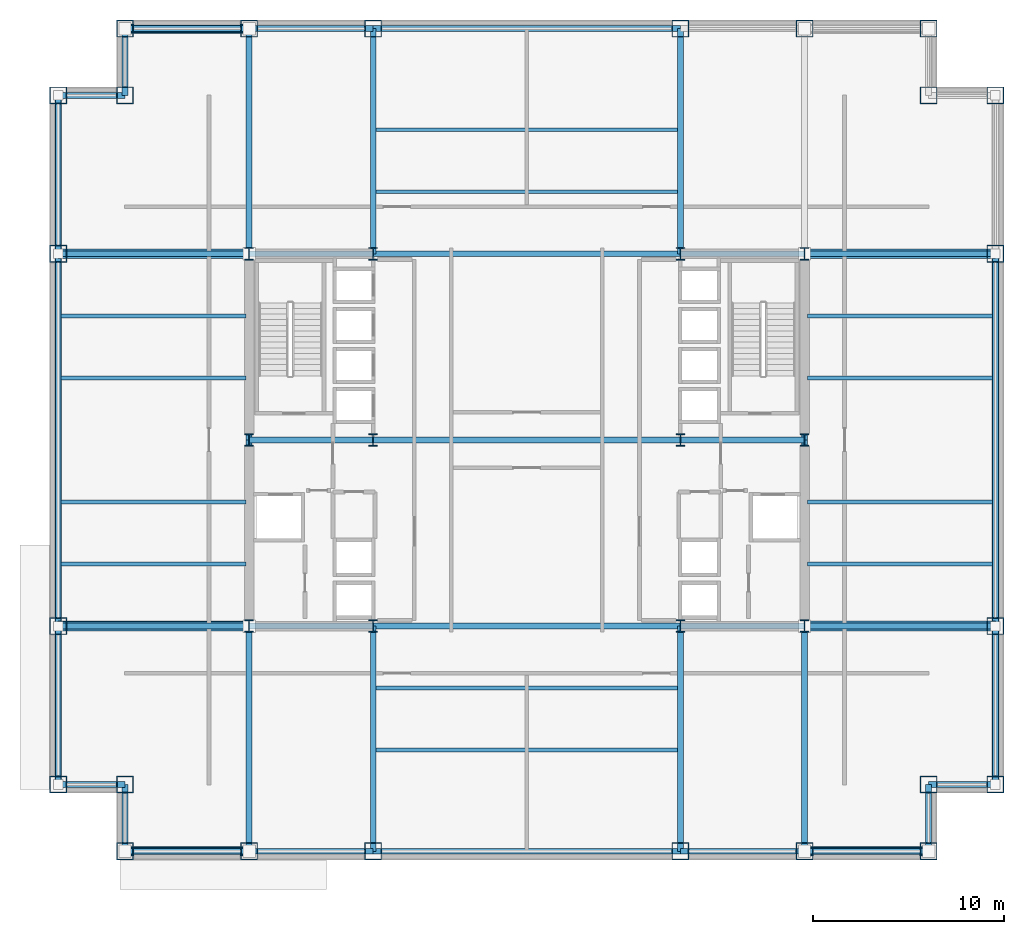
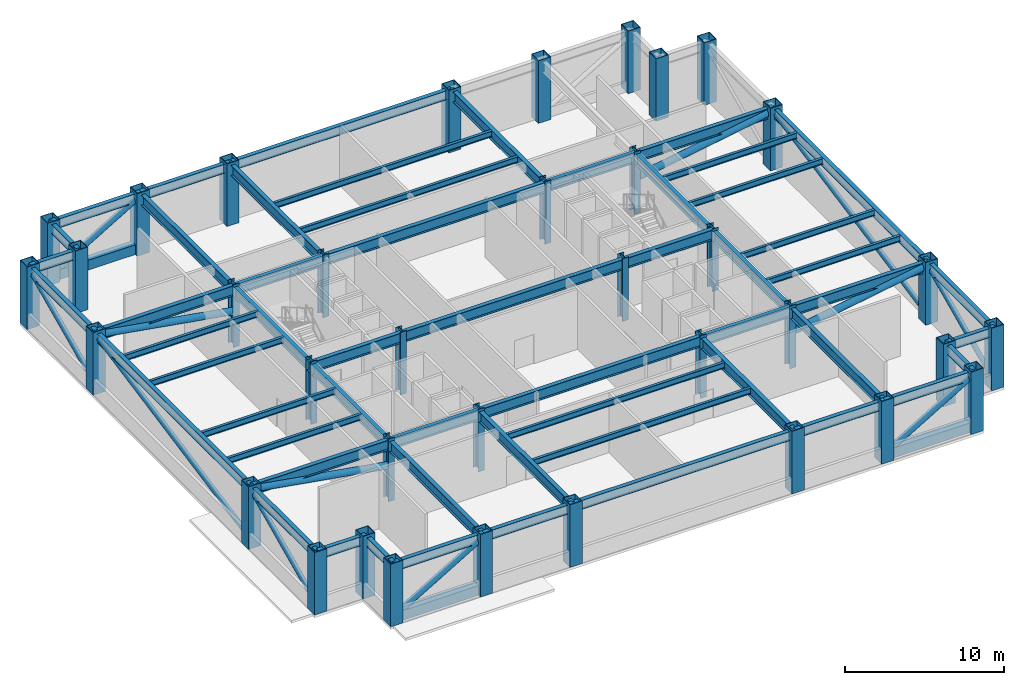
# One storey, part 1 of 8: 55 beams, 36 columns, 15 members.
"""IFC4 building model written with IfcOpenShell, lengths in metres."""

import ifcopenshell
import ifcopenshell.guid

model = None  # the IFC model being written
_history = None  # IfcOwnerHistory: only IFC2X3 demands one
_inside = {}  # id of a spatial element -> (the spatial element, [elements in it])
_under = {}  # id of a project, library or spatial element -> (it, [spatial elements below it])
_declared = {}  # id of a project -> (the project, [libraries it declares])
_typed = {}  # id of a type object -> (the type object, [elements of that type])
_made_of = {}  # id of a material, layer set ... -> (it, [elements and type objects made of it])


def new_model(schema):
    """Start an empty IFC model of exactly this schema.

    Asked for "IFC4X3", IfcOpenShell would pick the latest addendum, in which some entities
    have other attributes; the version numbers below select the first issue.
    IFC2X3 requires an IfcOwnerHistory on every rooted entity: one is made here for all.
    """
    global model, _history
    if schema == "IFC4X3":
        model = ifcopenshell.file(schema_version=(4, 3, 0, 0))
    else:
        model = ifcopenshell.file(schema=schema)
    _inside.clear()
    _under.clear()
    _declared.clear()
    _typed.clear()
    _made_of.clear()
    _history = None
    if model.schema == "IFC2X3":
        org = make("IfcOrganization", Name="unknown")
        user = make(
            "IfcPersonAndOrganization",
            ThePerson=make("IfcPerson", FamilyName="unknown"),
            TheOrganization=org,
        )
        app = make(
            "IfcApplication",
            ApplicationDeveloper=org,
            Version="unknown",
            ApplicationFullName="unknown",
            ApplicationIdentifier="unknown",
        )
        _history = make(
            "IfcOwnerHistory",
            OwningUser=user,
            OwningApplication=app,
            ChangeAction="ADDED",
            CreationDate=0,
        )
    return model


def make(cls, **values):
    """One entity of the class cls with the attributes given. An attribute that is None is left unset."""
    return model.create_entity(
        cls, **{name: value for name, value in values.items() if value is not None}
    )


def rooted(cls, **values):
    """An entity with a GlobalId (a new one), such as an element, a storey or a relation."""
    return make(cls, GlobalId=ifcopenshell.guid.new(), OwnerHistory=_history, **values)


def si_unit(unit_type, name, prefix=None):
    """IfcSIUnit, for example si_unit("LENGTHUNIT", "METRE", prefix="MILLI")."""
    return make("IfcSIUnit", UnitType=unit_type, Prefix=prefix, Name=name)


def assignment(units):
    """IfcUnitAssignment: the units of a project."""
    return None if units is None else make("IfcUnitAssignment", Units=units)


def point(xyz):
    """IfcCartesianPoint."""
    return None if xyz is None else make("IfcCartesianPoint", Coordinates=xyz)


def direction(xyz):
    """IfcDirection."""
    return None if xyz is None else make("IfcDirection", DirectionRatios=xyz)


def frame(location, z_axis=None, x_axis=None):
    """IfcAxis2Placement3D, a coordinate frame: its origin and axes. An axis left out is left unset."""
    return make(
        "IfcAxis2Placement3D",
        Location=point(location),
        Axis=direction(z_axis),
        RefDirection=direction(x_axis),
    )


def frame_2d(location, x_axis=None):
    """IfcAxis2Placement2D, a coordinate frame in the plane: its origin and x axis."""
    return make(
        "IfcAxis2Placement2D", Location=point(location), RefDirection=direction(x_axis)
    )


def origin():
    """The frame at (0, 0, 0) with its axes left unset."""
    return frame((0.0, 0.0, 0.0))


def origin_2d():
    """The frame at (0, 0) in the plane with its x axis left unset."""
    return frame_2d((0.0, 0.0))


def place(relative_to, where):
    """IfcLocalPlacement: puts the frame where relative to a parent placement (None: the world)."""
    return make(
        "IfcLocalPlacement", PlacementRelTo=relative_to, RelativePlacement=where
    )


def context(
    kind, dimensions, precision=None, world=None, true_north=None, identifier=None
):
    """IfcGeometricRepresentationContext, for example the 3D "Model" context."""
    return make(
        "IfcGeometricRepresentationContext",
        ContextIdentifier=identifier,
        ContextType=kind,
        CoordinateSpaceDimension=dimensions,
        Precision=precision,
        WorldCoordinateSystem=world,
        TrueNorth=true_north,
    )


def subcontext(parent, identifier, kind, view, scale=None):
    """IfcGeometricRepresentationSubContext, for example "Body" below "Model"."""
    return make(
        "IfcGeometricRepresentationSubContext",
        ContextIdentifier=identifier,
        ContextType=kind,
        ParentContext=parent,
        TargetScale=scale,
        TargetView=view,
    )


def project(units=None, contexts=None):
    """IfcProject with its units and contexts."""
    return rooted(
        "IfcProject",
        Name="project",
        RepresentationContexts=contexts,
        UnitsInContext=assignment(units),
    )


def spatial(cls, under=None, at=None, **own):
    """A site, building, storey or space (cls), placed at a placement, below another one or the project."""
    s = rooted(cls, ObjectPlacement=at, **own)
    if under is not None:
        _under.setdefault(under.id(), (under, []))[1].append(s)
    return s


def profile(cls, at=None, kind="AREA", **sizes):
    """A parametric profile (cls). Its sizes go by their IFC names, for example OverallWidth=200.0."""
    return make(cls, ProfileType=kind, Position=at, **sizes)


def hollow_rectangle(**sizes):
    """IfcRectangleHollowProfileDef."""
    return profile("IfcRectangleHollowProfileDef", **sizes)


def hollow_circle(**sizes):
    """IfcCircleHollowProfileDef."""
    return profile("IfcCircleHollowProfileDef", **sizes)


def i_section(**sizes):
    """IfcIShapeProfileDef."""
    return profile("IfcIShapeProfileDef", **sizes)


def extrude(swept, where, along, depth):
    """IfcExtrudedAreaSolid: the profile swept, set in the frame where, extruded along a direction by depth."""
    return make(
        "IfcExtrudedAreaSolid",
        SweptArea=swept,
        Position=where,
        ExtrudedDirection=direction(along),
        Depth=depth,
    )


def shape(context_of_items, identifier, shape_type, items):
    """IfcShapeRepresentation: the items that make up one representation, for example the "Body"."""
    return make(
        "IfcShapeRepresentation",
        ContextOfItems=context_of_items,
        RepresentationIdentifier=identifier,
        RepresentationType=shape_type,
        Items=items,
    )


def material(Name=None, Category=None):
    """IfcMaterial."""
    return make("IfcMaterial", Name=Name, Category=Category)


def material_profile(
    of_material, cross_section, Name=None, Category=None, Priority=None
):
    """IfcMaterialProfile: a cross section and its material."""
    return make(
        "IfcMaterialProfile",
        Name=Name,
        Material=of_material,
        Profile=cross_section,
        Priority=Priority,
        Category=Category,
    )


def profile_set(profiles, Name=None, composite=None):
    """IfcMaterialProfileSet."""
    return make(
        "IfcMaterialProfileSet",
        Name=Name,
        MaterialProfiles=profiles,
        CompositeProfile=composite,
    )


def made_of(thing, what):
    """Note that an element or type object is made of a material, layer set ...; save() writes the relation."""
    if what is not None:
        _made_of.setdefault(what.id(), (what, []))[1].append(thing)
    return thing


def type_object(cls, material=None, **own):
    """A type object (cls), such as IfcWallType, which elements share."""
    return made_of(rooted(cls, **own), material)


def element(
    cls,
    number,
    at=None,
    inside=None,
    cuts=None,
    type_object=None,
    material=None,
    context=None,
    identifier="Body",
    shape_type=None,
    held_by="IfcProductDefinitionShape",
    body=None,
    shapes=None,
    **own,
):
    """One element of the class cls, such as IfcWall. Its Tag is "e" and its number.

    at: its placement. inside: the storey or other place that contains it. cuts: it is an
    opening in that element (IfcRelVoidsElement). A single representation is given by context,
    identifier, shape_type and body (its items); several are given by shapes. held_by: the class
    of the entity that holds the representations. save() writes the other relations.
    """
    e = rooted(cls, Tag="e%d" % number, ObjectPlacement=at, **own)
    if body is not None:
        shapes = [shape(context, identifier, shape_type, body)]
    if shapes is not None:
        e.Representation = make(held_by, Representations=shapes)
    if inside is not None:
        _inside.setdefault(inside.id(), (inside, []))[1].append(e)
    if cuts is not None:
        rooted(
            "IfcRelVoidsElement", RelatingBuildingElement=cuts, RelatedOpeningElement=e
        )
    if type_object is not None:
        _typed.setdefault(type_object.id(), (type_object, []))[1].append(e)
    return made_of(e, material)


def aggregate(whole, parts):
    """IfcRelAggregates: a whole, such as a stair, and the parts it consists of."""
    return rooted("IfcRelAggregates", RelatingObject=whole, RelatedObjects=parts)


def save(model, path):
    """Write the relations noted so far, then the file.

    IfcRelAggregates (storeys below a building ...), IfcRelContainedInSpatialStructure (elements
    in a storey), IfcRelDefinesByType, IfcRelAssociatesMaterial and IfcRelDeclares: one each for
    every whole, place, type object, material and project.
    """
    for whole, parts in _under.values():
        aggregate(whole, parts)
    for where, things in _inside.values():
        rooted(
            "IfcRelContainedInSpatialStructure",
            RelatedElements=things,
            RelatingStructure=where,
        )
    for kind, things in _typed.values():
        rooted("IfcRelDefinesByType", RelatedObjects=things, RelatingType=kind)
    for what, things in _made_of.values():
        rooted("IfcRelAssociatesMaterial", RelatedObjects=things, RelatingMaterial=what)
    for by, libraries in _declared.values():
        rooted("IfcRelDeclares", RelatingContext=by, RelatedDefinitions=libraries)
    model.write(path)


model = new_model("IFC4")

# Units and contexts
model_context = context("Model", 3, precision=1e-05, world=origin(), true_north=direction((0.0, 1.0)))
body_context = subcontext(model_context, "Body", "Model", "MODEL_VIEW")
ifc_project = project(units=[si_unit("LENGTHUNIT", "METRE"), si_unit("AREAUNIT", "SQUARE_METRE"), si_unit("VOLUMEUNIT", "CUBIC_METRE"), si_unit("PLANEANGLEUNIT", "RADIAN"), si_unit("MASSUNIT", "GRAM", prefix="KILO")], contexts=[model_context])

# Site, building, storey
site_placement = place(None, origin())
site = spatial("IfcSite", under=ifc_project, at=site_placement, CompositionType="ELEMENT")
building_placement = place(site_placement, origin())
building = spatial("IfcBuilding", under=site, at=building_placement, Name="Brelmoor Portico Tower", CompositionType="ELEMENT")
storey_placement = place(building_placement, frame((0.0, 0.0, 78.0)))
storey = spatial("IfcBuildingStorey", under=building, at=storey_placement, Name="L20", CompositionType="ELEMENT", Elevation=78.0)

# Columns
ifc_material = material(Name="Steel Q355B", Category="steel")
ifc_material_profile_1 = material_profile(ifc_material, hollow_rectangle(XDim=0.89990234375, YDim=0.89990234375, WallThickness=0.044921875, at=origin_2d()), Name="BOX 900x900x45")
ifc_profile_set_1 = profile_set([ifc_material_profile_1], Name="Steel Q355B")
column_type_1 = type_object("IfcColumnType", Name="COL-MEGA-900", PredefinedType="COLUMN", material=ifc_profile_set_1)
for number, where, z_axis, x_axis, name in (
    (1, (-21.050048828125, -21.550048828125, 0.0), (0.0, 0.0, 1.0), (1.0, 0.0, 0.0), "L20 Perimeter Mega-Column PS01"),
    (2, (-14.550048828125, -21.550048828125, 0.0), (0.0, 0.0, 1.0), (1.0, 0.0, 0.0), "L20 Perimeter Mega-Column PS02"),
    (3, (-8.050048828125, -21.550048828125, 0.0), (0.0, 0.0, 1.0), (1.0, 0.0, 0.0), "L20 Perimeter Mega-Column PS03"),
    (4, (8.050048828125, -21.550048828125, 0.0), (0.0, 0.0, 1.0), (1.0, 0.0, 0.0), "L20 Perimeter Mega-Column PS04"),
    (5, (14.550048828125, -21.550048828125, 0.0), (0.0, 0.0, 1.0), (1.0, 0.0, 0.0), "L20 Perimeter Mega-Column PS05"),
    (6, (21.050048828125, -21.550048828125, 0.0), (0.0, 0.0, 1.0), (1.0, 0.0, 0.0), "L20 Perimeter Mega-Column PS06"),
    (7, (-21.050048828125, 21.550048828125, 0.0), (0.0, 0.0, 1.0), (1.0, 0.0, 0.0), "L20 Perimeter Mega-Column PN01"),
    (8, (-14.550048828125, 21.550048828125, 0.0), (0.0, 0.0, 1.0), (1.0, 0.0, 0.0), "L20 Perimeter Mega-Column PN02"),
    (9, (-8.050048828125, 21.550048828125, 0.0), (0.0, 0.0, 1.0), (1.0, 0.0, 0.0), "L20 Perimeter Mega-Column PN03"),
    (10, (8.050048828125, 21.550048828125, 0.0), (0.0, 0.0, 1.0), (1.0, 0.0, 0.0), "L20 Perimeter Mega-Column PN04"),
    (11, (14.550048828125, 21.550048828125, 0.0), (0.0, 0.0, 1.0), (1.0, 0.0, 0.0), "L20 Perimeter Mega-Column PN05"),
    (12, (21.050048828125, 21.550048828125, 0.0), (0.0, 0.0, 1.0), (1.0, 0.0, 0.0), "L20 Perimeter Mega-Column PN06"),
    (13, (-24.550048828125, -18.050048828125, 0.0), (0.0, 0.0, 1.0), (0.0, 1.0, 0.0), "L20 Perimeter Mega-Column PW01"),
    (14, (-24.550048828125, -9.75, 0.0), (0.0, 0.0, 1.0), (0.0, 1.0, 0.0), "L20 Perimeter Mega-Column PW02"),
    (15, (-24.550048828125, 9.75, 0.0), (0.0, 0.0, 1.0), (0.0, 1.0, 0.0), "L20 Perimeter Mega-Column PW03"),
    (16, (-24.550048828125, 18.050048828125, 0.0), (0.0, 0.0, 1.0), (0.0, 1.0, 0.0), "L20 Perimeter Mega-Column PW04"),
    (17, (24.550048828125, -18.050048828125, 0.0), (0.0, 0.0, 1.0), (0.0, 1.0, 0.0), "L20 Perimeter Mega-Column PE01"),
    (18, (24.550048828125, -9.75, 0.0), (0.0, 0.0, 1.0), (0.0, 1.0, 0.0), "L20 Perimeter Mega-Column PE02"),
    (19, (24.550048828125, 9.75, 0.0), (0.0, 0.0, 1.0), (0.0, 1.0, 0.0), "L20 Perimeter Mega-Column PE03"),
    (20, (24.550048828125, 18.050048828125, 0.0), (0.0, 0.0, 1.0), (0.0, 1.0, 0.0), "L20 Perimeter Mega-Column PE04"),
    (21, (-21.050048828125, 18.050048828125, 0.0), (0.0, 0.0, 1.0), (1.0, 0.0, 0.0), "L20 Perimeter Mega-Column PC-NW"),
    (22, (21.050048828125, 18.050048828125, 0.0), (0.0, 0.0, 1.0), (1.0, 0.0, 0.0), "L20 Perimeter Mega-Column PC-NE"),
    (23, (21.050048828125, -18.050048828125, 0.0), (0.0, 0.0, 1.0), (1.0, 0.0, 0.0), "L20 Perimeter Mega-Column PC-SE"),
    (24, (-21.050048828125, -18.050048828125, 0.0), (0.0, 0.0, 1.0), (1.0, 0.0, 0.0), "L20 Perimeter Mega-Column PC-SW"),
):
    element("IfcColumn", number, at=place(storey_placement, frame(where, z_axis=z_axis, x_axis=x_axis)), inside=storey, type_object=column_type_1, Name=name, PredefinedType="COLUMN", context=body_context, shape_type="SweptSolid", body=[
        extrude(hollow_rectangle(XDim=0.89990234375, YDim=0.89990234375, WallThickness=0.044921875, at=origin_2d()), origin(), (0.0, 0.0, 1.0), 4.800048828125),
    ])
ifc_material_profile_2 = material_profile(ifc_material, i_section(OverallWidth=0.449951171875, OverallDepth=0.64990234375, WebThickness=0.02490234375, FlangeThickness=0.0400390625, at=origin_2d()), Name="HW 650x450x25x40")
ifc_profile_set_2 = profile_set([ifc_material_profile_2], Name="Steel Q355B")
column_type_2 = type_object("IfcColumnType", Name="COL-SPINE-650", PredefinedType="COLUMN", material=ifc_profile_set_2)
for number, where, z_axis, x_axis, name in (
    (25, (-14.550048828125, -9.75, 0.0), (0.0, 0.0, 1.0), (1.0, 0.0, 0.0), "L20 Core Spine Column CW-SW"),
    (26, (-14.550048828125, 0.0, 0.0), (0.0, 0.0, 1.0), (1.0, 0.0, 0.0), "L20 Core Spine Column CW-MW"),
    (27, (-14.550048828125, 9.75, 0.0), (0.0, 0.0, 1.0), (1.0, 0.0, 0.0), "L20 Core Spine Column CW-NW"),
    (28, (-8.050048828125, -9.75, 0.0), (0.0, 0.0, 1.0), (1.0, 0.0, 0.0), "L20 Core Spine Column CW-SE"),
    (29, (-8.050048828125, 0.0, 0.0), (0.0, 0.0, 1.0), (1.0, 0.0, 0.0), "L20 Core Spine Column CW-ME"),
    (30, (-8.050048828125, 9.75, 0.0), (0.0, 0.0, 1.0), (1.0, 0.0, 0.0), "L20 Core Spine Column CW-NE"),
    (31, (8.050048828125, -9.75, 0.0), (0.0, 0.0, 1.0), (1.0, 0.0, 0.0), "L20 Core Spine Column CE-SW"),
    (32, (8.050048828125, 0.0, 0.0), (0.0, 0.0, 1.0), (1.0, 0.0, 0.0), "L20 Core Spine Column CE-MW"),
    (33, (8.050048828125, 9.75, 0.0), (0.0, 0.0, 1.0), (1.0, 0.0, 0.0), "L20 Core Spine Column CE-NW"),
    (34, (14.550048828125, -9.75, 0.0), (0.0, 0.0, 1.0), (1.0, 0.0, 0.0), "L20 Core Spine Column CE-SE"),
    (35, (14.550048828125, 0.0, 0.0), (0.0, 0.0, 1.0), (1.0, 0.0, 0.0), "L20 Core Spine Column CE-ME"),
    (36, (14.550048828125, 9.75, 0.0), (0.0, 0.0, 1.0), (1.0, 0.0, 0.0), "L20 Core Spine Column CE-NE"),
):
    element("IfcColumn", number, at=place(storey_placement, frame(where, z_axis=z_axis, x_axis=x_axis)), inside=storey, type_object=column_type_2, Name=name, PredefinedType="COLUMN", context=body_context, shape_type="SweptSolid", body=[
        extrude(i_section(OverallWidth=0.449951171875, OverallDepth=0.64990234375, WebThickness=0.02490234375, FlangeThickness=0.0400390625, at=origin_2d()), origin(), (0.0, 0.0, 1.0), 4.800048828125),
    ])

# Beams
ifc_material_profile_3 = material_profile(ifc_material, i_section(OverallWidth=0.199951171875, OverallDepth=0.449951171875, WebThickness=0.009033203125, FlangeThickness=0.013916015625, at=origin_2d()), Name="HN 450x200x9x14")
ifc_profile_set_3 = profile_set([ifc_material_profile_3], Name="Steel Q355B")
beam_type_1 = type_object("IfcBeamType", Name="BM-JS-450", PredefinedType="JOIST", material=ifc_profile_set_3)
for number, where, z_axis, x_axis, name in (
    (37, (-7.89990234375, -16.25, 4.375), (1.0, 0.0, 0.0), (0.0, 1.0, 0.0), "L20 Secondary Composite Joist JS-C01"),
    (38, (-7.89990234375, -13.0, 4.375), (1.0, 0.0, 0.0), (0.0, 1.0, 0.0), "L20 Secondary Composite Joist JS-C02"),
    (39, (-7.89990234375, 13.0, 4.375), (1.0, 0.0, 0.0), (0.0, 1.0, 0.0), "L20 Secondary Composite Joist JS-C03"),
    (40, (-7.89990234375, 16.25, 4.375), (1.0, 0.0, 0.0), (0.0, 1.0, 0.0), "L20 Secondary Composite Joist JS-C04"),
):
    element("IfcBeam", number, at=place(storey_placement, frame(where, z_axis=z_axis, x_axis=x_axis)), inside=storey, type_object=beam_type_1, Name=name, PredefinedType="JOIST", context=body_context, shape_type="SweptSolid", body=[
        extrude(i_section(OverallWidth=0.199951171875, OverallDepth=0.449951171875, WebThickness=0.009033203125, FlangeThickness=0.013916015625, at=origin_2d()), origin(), (0.0, 0.0, 1.0), 15.7998046875),
    ])
for number, where, z_axis, x_axis, name in (
    (41, (-24.39990234375, -6.5, 4.375), (1.0, 0.0, 0.0), (0.0, 1.0, 0.0), "L20 Secondary Wing Joist JS-W05"),
    (42, (-24.39990234375, -3.25, 4.375), (1.0, 0.0, 0.0), (0.0, 1.0, 0.0), "L20 Secondary Wing Joist JS-W06"),
    (43, (-24.39990234375, 3.25, 4.375), (1.0, 0.0, 0.0), (0.0, 1.0, 0.0), "L20 Secondary Wing Joist JS-W07"),
    (44, (-24.39990234375, 6.5, 4.375), (1.0, 0.0, 0.0), (0.0, 1.0, 0.0), "L20 Secondary Wing Joist JS-W08"),
    (45, (14.699951171875, -6.5, 4.375), (1.0, 0.0, 0.0), (0.0, 1.0, 0.0), "L20 Secondary Wing Joist JS-E09"),
    (46, (14.699951171875, -3.25, 4.375), (1.0, 0.0, 0.0), (0.0, 1.0, 0.0), "L20 Secondary Wing Joist JS-E10"),
    (47, (14.699951171875, 3.25, 4.375), (1.0, 0.0, 0.0), (0.0, 1.0, 0.0), "L20 Secondary Wing Joist JS-E11"),
    (48, (14.699951171875, 6.5, 4.375), (1.0, 0.0, 0.0), (0.0, 1.0, 0.0), "L20 Secondary Wing Joist JS-E12"),
):
    element("IfcBeam", number, at=place(storey_placement, frame(where, z_axis=z_axis, x_axis=x_axis)), inside=storey, type_object=beam_type_1, Name=name, PredefinedType="JOIST", context=body_context, shape_type="SweptSolid", body=[
        extrude(i_section(OverallWidth=0.199951171875, OverallDepth=0.449951171875, WebThickness=0.009033203125, FlangeThickness=0.013916015625, at=origin_2d()), origin(), (0.0, 0.0, 1.0), 9.699951171875),
    ])
ifc_material_profile_4 = material_profile(ifc_material, i_section(OverallWidth=0.300048828125, OverallDepth=0.800048828125, WebThickness=0.013916015625, FlangeThickness=0.02587890625, at=origin_2d()), Name="HN 800x300x14x26")
ifc_profile_set_4 = profile_set([ifc_material_profile_4], Name="Steel Q355B")
beam_type_2 = type_object("IfcBeamType", Name="BM-PG-800", PredefinedType="BEAM", material=ifc_profile_set_4)
beam_1_placement = place(storey_placement, frame((-14.550048828125, -21.550048828125, 4.199951171875), z_axis=(0.0, 1.0, 0.0), x_axis=(-1.0, 0.0, 0.0)))
element("IfcBeam", 49, at=beam_1_placement, inside=storey, type_object=beam_type_2, Name="L20 Primary Floor Girder PG-03", PredefinedType="BEAM", context=body_context, shape_type="SweptSolid", body=[
    extrude(i_section(OverallWidth=0.300048828125, OverallDepth=0.800048828125, WebThickness=0.013916015625, FlangeThickness=0.02587890625, at=origin_2d()), origin(), (0.0, 0.0, 1.0), 11.800048828125),
])
for number, where, z_axis, x_axis, name in (
    (50, (-14.550048828125, -9.75, 4.199951171875), (0.0, 1.0, 0.0), (-1.0, 0.0, 0.0), "L20 Primary Floor Girder PG-04"),
    (51, (-14.550048828125, 0.0, 4.199951171875), (0.0, 1.0, 0.0), (-1.0, 0.0, 0.0), "L20 Primary Floor Girder PG-05"),
):
    element("IfcBeam", number, at=place(storey_placement, frame(where, z_axis=z_axis, x_axis=x_axis)), inside=storey, type_object=beam_type_2, Name=name, PredefinedType="BEAM", context=body_context, shape_type="SweptSolid", body=[
        extrude(i_section(OverallWidth=0.300048828125, OverallDepth=0.800048828125, WebThickness=0.013916015625, FlangeThickness=0.02587890625, at=origin_2d()), origin(), (0.0, 0.0, 1.0), 9.75),
    ])
for number, where, z_axis, x_axis, name in (
    (52, (-14.550048828125, 9.75, 4.199951171875), (0.0, 1.0, 0.0), (-1.0, 0.0, 0.0), "L20 Primary Floor Girder PG-06"),
    (53, (-8.050048828125, -21.550048828125, 4.199951171875), (0.0, 1.0, 0.0), (-1.0, 0.0, 0.0), "L20 Primary Floor Girder PG-07"),
    (54, (-8.050048828125, 9.75, 4.199951171875), (0.0, 1.0, 0.0), (-1.0, 0.0, 0.0), "L20 Primary Floor Girder PG-08"),
    (55, (8.050048828125, -21.550048828125, 4.199951171875), (0.0, 1.0, 0.0), (-1.0, 0.0, 0.0), "L20 Primary Floor Girder PG-09"),
    (56, (8.050048828125, 9.75, 4.199951171875), (0.0, 1.0, 0.0), (-1.0, 0.0, 0.0), "L20 Primary Floor Girder PG-10"),
    (57, (14.550048828125, -21.550048828125, 4.199951171875), (0.0, 1.0, 0.0), (-1.0, 0.0, 0.0), "L20 Primary Floor Girder PG-11"),
):
    element("IfcBeam", number, at=place(storey_placement, frame(where, z_axis=z_axis, x_axis=x_axis)), inside=storey, type_object=beam_type_2, Name=name, PredefinedType="BEAM", context=body_context, shape_type="SweptSolid", body=[
        extrude(i_section(OverallWidth=0.300048828125, OverallDepth=0.800048828125, WebThickness=0.013916015625, FlangeThickness=0.02587890625, at=origin_2d()), origin(), (0.0, 0.0, 1.0), 11.800048828125),
    ])
for number, where, z_axis, x_axis, name in (
    (58, (14.550048828125, -9.75, 4.199951171875), (0.0, 1.0, 0.0), (-1.0, 0.0, 0.0), "L20 Primary Floor Girder PG-12"),
    (59, (14.550048828125, 0.0, 4.199951171875), (0.0, 1.0, 0.0), (-1.0, 0.0, 0.0), "L20 Primary Floor Girder PG-13"),
):
    element("IfcBeam", number, at=place(storey_placement, frame(where, z_axis=z_axis, x_axis=x_axis)), inside=storey, type_object=beam_type_2, Name=name, PredefinedType="BEAM", context=body_context, shape_type="SweptSolid", body=[
        extrude(i_section(OverallWidth=0.300048828125, OverallDepth=0.800048828125, WebThickness=0.013916015625, FlangeThickness=0.02587890625, at=origin_2d()), origin(), (0.0, 0.0, 1.0), 9.75),
    ])
beam_2_placement = place(storey_placement, frame((-24.550048828125, -9.75, 4.199951171875), z_axis=(1.0, 0.0, 0.0), x_axis=(0.0, 1.0, 0.0)))
element("IfcBeam", 60, at=beam_2_placement, inside=storey, type_object=beam_type_2, Name="L20 Primary Floor Girder PG-19", PredefinedType="BEAM", context=body_context, shape_type="SweptSolid", body=[
    extrude(i_section(OverallWidth=0.300048828125, OverallDepth=0.800048828125, WebThickness=0.013916015625, FlangeThickness=0.02587890625, at=origin_2d()), origin(), (0.0, 0.0, 1.0), 10.0),
])
beam_3_placement = place(storey_placement, frame((-14.550048828125, -9.75, 4.199951171875), z_axis=(1.0, 0.0, 0.0), x_axis=(0.0, 1.0, 0.0)))
element("IfcBeam", 61, at=beam_3_placement, inside=storey, type_object=beam_type_2, Name="L20 Primary Floor Girder PG-20", PredefinedType="BEAM", context=body_context, shape_type="SweptSolid", body=[
    extrude(i_section(OverallWidth=0.300048828125, OverallDepth=0.800048828125, WebThickness=0.013916015625, FlangeThickness=0.02587890625, at=origin_2d()), origin(), (0.0, 0.0, 1.0), 6.5),
])
beam_4_placement = place(storey_placement, frame((-8.050048828125, -9.75, 4.199951171875), z_axis=(1.0, 0.0, 0.0), x_axis=(0.0, 1.0, 0.0)))
element("IfcBeam", 62, at=beam_4_placement, inside=storey, type_object=beam_type_2, Name="L20 Primary Floor Girder PG-21", PredefinedType="BEAM", context=body_context, shape_type="SweptSolid", body=[
    extrude(i_section(OverallWidth=0.300048828125, OverallDepth=0.800048828125, WebThickness=0.013916015625, FlangeThickness=0.02587890625, at=origin_2d()), origin(), (0.0, 0.0, 1.0), 16.10009765625),
])
beam_5_placement = place(storey_placement, frame((8.050048828125, -9.75, 4.199951171875), z_axis=(1.0, 0.0, 0.0), x_axis=(0.0, 1.0, 0.0)))
element("IfcBeam", 63, at=beam_5_placement, inside=storey, type_object=beam_type_2, Name="L20 Primary Floor Girder PG-22", PredefinedType="BEAM", context=body_context, shape_type="SweptSolid", body=[
    extrude(i_section(OverallWidth=0.300048828125, OverallDepth=0.800048828125, WebThickness=0.013916015625, FlangeThickness=0.02587890625, at=origin_2d()), origin(), (0.0, 0.0, 1.0), 6.5),
])
beam_6_placement = place(storey_placement, frame((14.550048828125, -9.75, 4.199951171875), z_axis=(1.0, 0.0, 0.0), x_axis=(0.0, 1.0, 0.0)))
element("IfcBeam", 64, at=beam_6_placement, inside=storey, type_object=beam_type_2, Name="L20 Primary Floor Girder PG-23", PredefinedType="BEAM", context=body_context, shape_type="SweptSolid", body=[
    extrude(i_section(OverallWidth=0.300048828125, OverallDepth=0.800048828125, WebThickness=0.013916015625, FlangeThickness=0.02587890625, at=origin_2d()), origin(), (0.0, 0.0, 1.0), 10.0),
])
beam_7_placement = place(storey_placement, frame((-14.550048828125, 0.0, 4.199951171875), z_axis=(1.0, 0.0, 0.0), x_axis=(0.0, 1.0, 0.0)))
element("IfcBeam", 65, at=beam_7_placement, inside=storey, type_object=beam_type_2, Name="L20 Primary Floor Girder PG-24", PredefinedType="BEAM", context=body_context, shape_type="SweptSolid", body=[
    extrude(i_section(OverallWidth=0.300048828125, OverallDepth=0.800048828125, WebThickness=0.013916015625, FlangeThickness=0.02587890625, at=origin_2d()), origin(), (0.0, 0.0, 1.0), 6.5),
])
beam_8_placement = place(storey_placement, frame((-8.050048828125, 0.0, 4.199951171875), z_axis=(1.0, 0.0, 0.0), x_axis=(0.0, 1.0, 0.0)))
element("IfcBeam", 66, at=beam_8_placement, inside=storey, type_object=beam_type_2, Name="L20 Primary Floor Girder PG-25", PredefinedType="BEAM", context=body_context, shape_type="SweptSolid", body=[
    extrude(i_section(OverallWidth=0.300048828125, OverallDepth=0.800048828125, WebThickness=0.013916015625, FlangeThickness=0.02587890625, at=origin_2d()), origin(), (0.0, 0.0, 1.0), 16.10009765625),
])
beam_9_placement = place(storey_placement, frame((8.050048828125, 0.0, 4.199951171875), z_axis=(1.0, 0.0, 0.0), x_axis=(0.0, 1.0, 0.0)))
element("IfcBeam", 67, at=beam_9_placement, inside=storey, type_object=beam_type_2, Name="L20 Primary Floor Girder PG-26", PredefinedType="BEAM", context=body_context, shape_type="SweptSolid", body=[
    extrude(i_section(OverallWidth=0.300048828125, OverallDepth=0.800048828125, WebThickness=0.013916015625, FlangeThickness=0.02587890625, at=origin_2d()), origin(), (0.0, 0.0, 1.0), 6.5),
])
beam_10_placement = place(storey_placement, frame((-24.550048828125, 9.75, 4.199951171875), z_axis=(1.0, 0.0, 0.0), x_axis=(0.0, 1.0, 0.0)))
element("IfcBeam", 68, at=beam_10_placement, inside=storey, type_object=beam_type_2, Name="L20 Primary Floor Girder PG-27", PredefinedType="BEAM", context=body_context, shape_type="SweptSolid", body=[
    extrude(i_section(OverallWidth=0.300048828125, OverallDepth=0.800048828125, WebThickness=0.013916015625, FlangeThickness=0.02587890625, at=origin_2d()), origin(), (0.0, 0.0, 1.0), 10.0),
])
beam_11_placement = place(storey_placement, frame((-14.550048828125, 9.75, 4.199951171875), z_axis=(1.0, 0.0, 0.0), x_axis=(0.0, 1.0, 0.0)))
element("IfcBeam", 69, at=beam_11_placement, inside=storey, type_object=beam_type_2, Name="L20 Primary Floor Girder PG-28", PredefinedType="BEAM", context=body_context, shape_type="SweptSolid", body=[
    extrude(i_section(OverallWidth=0.300048828125, OverallDepth=0.800048828125, WebThickness=0.013916015625, FlangeThickness=0.02587890625, at=origin_2d()), origin(), (0.0, 0.0, 1.0), 6.5),
])
beam_12_placement = place(storey_placement, frame((-8.050048828125, 9.75, 4.199951171875), z_axis=(1.0, 0.0, 0.0), x_axis=(0.0, 1.0, 0.0)))
element("IfcBeam", 70, at=beam_12_placement, inside=storey, type_object=beam_type_2, Name="L20 Primary Floor Girder PG-29", PredefinedType="BEAM", context=body_context, shape_type="SweptSolid", body=[
    extrude(i_section(OverallWidth=0.300048828125, OverallDepth=0.800048828125, WebThickness=0.013916015625, FlangeThickness=0.02587890625, at=origin_2d()), origin(), (0.0, 0.0, 1.0), 16.10009765625),
])
beam_13_placement = place(storey_placement, frame((8.050048828125, 9.75, 4.199951171875), z_axis=(1.0, 0.0, 0.0), x_axis=(0.0, 1.0, 0.0)))
element("IfcBeam", 71, at=beam_13_placement, inside=storey, type_object=beam_type_2, Name="L20 Primary Floor Girder PG-30", PredefinedType="BEAM", context=body_context, shape_type="SweptSolid", body=[
    extrude(i_section(OverallWidth=0.300048828125, OverallDepth=0.800048828125, WebThickness=0.013916015625, FlangeThickness=0.02587890625, at=origin_2d()), origin(), (0.0, 0.0, 1.0), 6.5),
])
beam_14_placement = place(storey_placement, frame((14.550048828125, 9.75, 4.199951171875), z_axis=(1.0, 0.0, 0.0), x_axis=(0.0, 1.0, 0.0)))
element("IfcBeam", 72, at=beam_14_placement, inside=storey, type_object=beam_type_2, Name="L20 Primary Floor Girder PG-31", PredefinedType="BEAM", context=body_context, shape_type="SweptSolid", body=[
    extrude(i_section(OverallWidth=0.300048828125, OverallDepth=0.800048828125, WebThickness=0.013916015625, FlangeThickness=0.02587890625, at=origin_2d()), origin(), (0.0, 0.0, 1.0), 10.0),
])
ifc_material_profile_5 = material_profile(ifc_material, i_section(OverallWidth=0.300048828125, OverallDepth=0.699951171875, WebThickness=0.012939453125, FlangeThickness=0.02392578125, at=origin_2d()), Name="HN 700x300x13x24")
ifc_profile_set_5 = profile_set([ifc_material_profile_5], Name="Steel Q355B")
beam_type_3 = type_object("IfcBeamType", Name="BM-SP-700", PredefinedType="SPANDREL", material=ifc_profile_set_5)
for number, where, z_axis, x_axis, name in (
    (73, (-21.050048828125, -21.550048828125, 4.25), (1.0, 0.0, 0.0), (0.0, 1.0, 0.0), "L20 Perimeter Spandrel Beam SP-01"),
    (74, (-14.550048828125, -21.550048828125, 4.25), (1.0, 0.0, 0.0), (0.0, 1.0, 0.0), "L20 Perimeter Spandrel Beam SP-02"),
):
    element("IfcBeam", number, at=place(storey_placement, frame(where, z_axis=z_axis, x_axis=x_axis)), inside=storey, type_object=beam_type_3, Name=name, PredefinedType="SPANDREL", context=body_context, shape_type="SweptSolid", body=[
        extrude(i_section(OverallWidth=0.300048828125, OverallDepth=0.699951171875, WebThickness=0.012939453125, FlangeThickness=0.02392578125, at=origin_2d()), origin(), (0.0, 0.0, 1.0), 6.5),
    ])
beam_15_placement = place(storey_placement, frame((-8.050048828125, -21.550048828125, 4.25), z_axis=(1.0, 0.0, 0.0), x_axis=(0.0, 1.0, 0.0)))
element("IfcBeam", 75, at=beam_15_placement, inside=storey, type_object=beam_type_3, Name="L20 Perimeter Spandrel Beam SP-03", PredefinedType="SPANDREL", context=body_context, shape_type="SweptSolid", body=[
    extrude(i_section(OverallWidth=0.300048828125, OverallDepth=0.699951171875, WebThickness=0.012939453125, FlangeThickness=0.02392578125, at=origin_2d()), origin(), (0.0, 0.0, 1.0), 16.10009765625),
])
for number, where, z_axis, x_axis, name in (
    (76, (8.050048828125, -21.550048828125, 4.25), (1.0, 0.0, 0.0), (0.0, 1.0, 0.0), "L20 Perimeter Spandrel Beam SP-04"),
    (77, (14.550048828125, -21.550048828125, 4.25), (1.0, 0.0, 0.0), (0.0, 1.0, 0.0), "L20 Perimeter Spandrel Beam SP-05"),
):
    element("IfcBeam", number, at=place(storey_placement, frame(where, z_axis=z_axis, x_axis=x_axis)), inside=storey, type_object=beam_type_3, Name=name, PredefinedType="SPANDREL", context=body_context, shape_type="SweptSolid", body=[
        extrude(i_section(OverallWidth=0.300048828125, OverallDepth=0.699951171875, WebThickness=0.012939453125, FlangeThickness=0.02392578125, at=origin_2d()), origin(), (0.0, 0.0, 1.0), 6.5),
    ])
for number, where, z_axis, x_axis, name in (
    (78, (-24.550048828125, -18.050048828125, 4.25), (1.0, 0.0, 0.0), (0.0, 1.0, 0.0), "L20 Perimeter Spandrel Beam SP-06"),
    (79, (21.050048828125, -18.050048828125, 4.25), (1.0, 0.0, 0.0), (0.0, 1.0, 0.0), "L20 Perimeter Spandrel Beam SP-07"),
    (80, (-24.550048828125, 18.050048828125, 4.25), (1.0, 0.0, 0.0), (0.0, 1.0, 0.0), "L20 Perimeter Spandrel Beam SP-08"),
):
    element("IfcBeam", number, at=place(storey_placement, frame(where, z_axis=z_axis, x_axis=x_axis)), inside=storey, type_object=beam_type_3, Name=name, PredefinedType="SPANDREL", context=body_context, shape_type="SweptSolid", body=[
        extrude(i_section(OverallWidth=0.300048828125, OverallDepth=0.699951171875, WebThickness=0.012939453125, FlangeThickness=0.02392578125, at=origin_2d()), origin(), (0.0, 0.0, 1.0), 3.5),
    ])
for number, where, z_axis, x_axis, name in (
    (81, (-21.050048828125, 21.550048828125, 4.25), (1.0, 0.0, 0.0), (0.0, 1.0, 0.0), "L20 Perimeter Spandrel Beam SP-10"),
    (82, (-14.550048828125, 21.550048828125, 4.25), (1.0, 0.0, 0.0), (0.0, 1.0, 0.0), "L20 Perimeter Spandrel Beam SP-11"),
):
    element("IfcBeam", number, at=place(storey_placement, frame(where, z_axis=z_axis, x_axis=x_axis)), inside=storey, type_object=beam_type_3, Name=name, PredefinedType="SPANDREL", context=body_context, shape_type="SweptSolid", body=[
        extrude(i_section(OverallWidth=0.300048828125, OverallDepth=0.699951171875, WebThickness=0.012939453125, FlangeThickness=0.02392578125, at=origin_2d()), origin(), (0.0, 0.0, 1.0), 6.5),
    ])
beam_16_placement = place(storey_placement, frame((-8.050048828125, 21.550048828125, 4.25), z_axis=(1.0, 0.0, 0.0), x_axis=(0.0, 1.0, 0.0)))
element("IfcBeam", 83, at=beam_16_placement, inside=storey, type_object=beam_type_3, Name="L20 Perimeter Spandrel Beam SP-12", PredefinedType="SPANDREL", context=body_context, shape_type="SweptSolid", body=[
    extrude(i_section(OverallWidth=0.300048828125, OverallDepth=0.699951171875, WebThickness=0.012939453125, FlangeThickness=0.02392578125, at=origin_2d()), origin(), (0.0, 0.0, 1.0), 16.10009765625),
])
beam_17_placement = place(storey_placement, frame((-24.550048828125, -18.050048828125, 4.25), z_axis=(0.0, 1.0, 0.0), x_axis=(-1.0, 0.0, 0.0)))
element("IfcBeam", 84, at=beam_17_placement, inside=storey, type_object=beam_type_3, Name="L20 Perimeter Spandrel Beam SP-15", PredefinedType="SPANDREL", context=body_context, shape_type="SweptSolid", body=[
    extrude(i_section(OverallWidth=0.300048828125, OverallDepth=0.699951171875, WebThickness=0.012939453125, FlangeThickness=0.02392578125, at=origin_2d()), origin(), (0.0, 0.0, 1.0), 8.300048828125),
])
beam_18_placement = place(storey_placement, frame((-24.550048828125, -9.75, 4.25), z_axis=(0.0, 1.0, 0.0), x_axis=(-1.0, 0.0, 0.0)))
element("IfcBeam", 85, at=beam_18_placement, inside=storey, type_object=beam_type_3, Name="L20 Perimeter Spandrel Beam SP-16", PredefinedType="SPANDREL", context=body_context, shape_type="SweptSolid", body=[
    extrude(i_section(OverallWidth=0.300048828125, OverallDepth=0.699951171875, WebThickness=0.012939453125, FlangeThickness=0.02392578125, at=origin_2d()), origin(), (0.0, 0.0, 1.0), 19.5),
])
beam_19_placement = place(storey_placement, frame((-24.550048828125, 9.75, 4.25), z_axis=(0.0, 1.0, 0.0), x_axis=(-1.0, 0.0, 0.0)))
element("IfcBeam", 86, at=beam_19_placement, inside=storey, type_object=beam_type_3, Name="L20 Perimeter Spandrel Beam SP-17", PredefinedType="SPANDREL", context=body_context, shape_type="SweptSolid", body=[
    extrude(i_section(OverallWidth=0.300048828125, OverallDepth=0.699951171875, WebThickness=0.012939453125, FlangeThickness=0.02392578125, at=origin_2d()), origin(), (0.0, 0.0, 1.0), 8.300048828125),
])
for number, where, z_axis, x_axis, name in (
    (87, (-21.050048828125, -21.550048828125, 4.25), (0.0, 1.0, 0.0), (-1.0, 0.0, 0.0), "L20 Perimeter Spandrel Beam SP-18"),
    (88, (-21.050048828125, 18.050048828125, 4.25), (0.0, 1.0, 0.0), (-1.0, 0.0, 0.0), "L20 Perimeter Spandrel Beam SP-19"),
    (89, (21.050048828125, -21.550048828125, 4.25), (0.0, 1.0, 0.0), (-1.0, 0.0, 0.0), "L20 Perimeter Spandrel Beam SP-20"),
):
    element("IfcBeam", number, at=place(storey_placement, frame(where, z_axis=z_axis, x_axis=x_axis)), inside=storey, type_object=beam_type_3, Name=name, PredefinedType="SPANDREL", context=body_context, shape_type="SweptSolid", body=[
        extrude(i_section(OverallWidth=0.300048828125, OverallDepth=0.699951171875, WebThickness=0.012939453125, FlangeThickness=0.02392578125, at=origin_2d()), origin(), (0.0, 0.0, 1.0), 3.5),
    ])
beam_20_placement = place(storey_placement, frame((24.550048828125, -18.050048828125, 4.25), z_axis=(0.0, 1.0, 0.0), x_axis=(-1.0, 0.0, 0.0)))
element("IfcBeam", 90, at=beam_20_placement, inside=storey, type_object=beam_type_3, Name="L20 Perimeter Spandrel Beam SP-22", PredefinedType="SPANDREL", context=body_context, shape_type="SweptSolid", body=[
    extrude(i_section(OverallWidth=0.300048828125, OverallDepth=0.699951171875, WebThickness=0.012939453125, FlangeThickness=0.02392578125, at=origin_2d()), origin(), (0.0, 0.0, 1.0), 8.300048828125),
])
beam_21_placement = place(storey_placement, frame((24.550048828125, -9.75, 4.25), z_axis=(0.0, 1.0, 0.0), x_axis=(-1.0, 0.0, 0.0)))
element("IfcBeam", 91, at=beam_21_placement, inside=storey, type_object=beam_type_3, Name="L20 Perimeter Spandrel Beam SP-23", PredefinedType="SPANDREL", context=body_context, shape_type="SweptSolid", body=[
    extrude(i_section(OverallWidth=0.300048828125, OverallDepth=0.699951171875, WebThickness=0.012939453125, FlangeThickness=0.02392578125, at=origin_2d()), origin(), (0.0, 0.0, 1.0), 19.5),
])

# Members
ifc_material_profile_6 = material_profile(ifc_material, hollow_rectangle(XDim=0.5, YDim=0.75, WallThickness=0.030029296875, at=origin_2d()), Name="RHS 500x750x30")
ifc_profile_set_6 = profile_set([ifc_material_profile_6], Name="Steel Q355B")
member_type_1 = type_object("IfcMemberType", Name="MB-BELT-CHORD", PredefinedType="CHORD", material=ifc_profile_set_6)
for number, where, z_axis, x_axis, name in (
    (92, (-21.050048828125, -21.550048828125, 0.39990234375), (1.0, 0.0, 0.0), (0.0, 1.0, 0.0), "L20 Belt Truss Bottom Chord BC-01"),
    (93, (14.550048828125, -21.550048828125, 0.39990234375), (1.0, 0.0, 0.0), (0.0, 1.0, 0.0), "L20 Belt Truss Bottom Chord BC-02"),
    (94, (-21.050048828125, 21.550048828125, 0.39990234375), (1.0, 0.0, 0.0), (0.0, 1.0, 0.0), "L20 Belt Truss Bottom Chord BC-03"),
):
    element("IfcMember", number, at=place(storey_placement, frame(where, z_axis=z_axis, x_axis=x_axis)), inside=storey, type_object=member_type_1, Name=name, PredefinedType="CHORD", context=body_context, shape_type="SweptSolid", body=[
        extrude(hollow_rectangle(XDim=0.5, YDim=0.75, WallThickness=0.030029296875, at=origin_2d()), origin(), (0.0, 0.0, 1.0), 6.5),
    ])
ifc_material_profile_7 = material_profile(ifc_material, hollow_circle(Radius=0.212890625, WallThickness=0.02001953125, at=origin_2d()), Name="CHS 426x20")
ifc_profile_set_7 = profile_set([ifc_material_profile_7], Name="Steel Q355B")
member_type_2 = type_object("IfcMemberType", Name="MB-BELT-DIAG1", PredefinedType="BRACE", material=ifc_profile_set_7)
for number, where, z_axis, x_axis, name in (
    (95, (-21.050048828125, -21.550048828125, 0.39990234375), (0.86039335432, 0.0, 0.509630528757), (0.0, 1.0, 0.0), "L20 Belt Truss Diagonal BT-01A"),
    (96, (14.550048828125, -21.550048828125, 0.39990234375), (0.86039335432, 0.0, 0.509630528757), (0.0, 1.0, 0.0), "L20 Belt Truss Diagonal BT-02A"),
    (97, (-21.050048828125, 21.550048828125, 0.39990234375), (0.86039335432, 0.0, 0.509630528757), (0.0, 1.0, 0.0), "L20 Belt Truss Diagonal BT-03A"),
):
    element("IfcMember", number, at=place(storey_placement, frame(where, z_axis=z_axis, x_axis=x_axis)), inside=storey, type_object=member_type_2, Name=name, PredefinedType="BRACE", context=body_context, shape_type="SweptSolid", body=[
        extrude(hollow_circle(Radius=0.212890625, WallThickness=0.02001953125, at=origin_2d()), origin(), (0.0, 0.0, 1.0), 7.5546875),
    ])
ifc_material_profile_8 = material_profile(ifc_material, hollow_circle(Radius=0.177978515625, WallThickness=0.01611328125, at=origin_2d()), Name="CHS 356x16")
ifc_profile_set_8 = profile_set([ifc_material_profile_8], Name="Steel Q355B")
member_type_3 = type_object("IfcMemberType", Name="MB-BELT-DIAG2", PredefinedType="BRACE", material=ifc_profile_set_8)
member_1_placement = place(storey_placement, frame((-24.550048828125, -18.050048828125, 0.39990234375), z_axis=(0.0, 0.907154873875, 0.420796904462), x_axis=(-1.0, 0.0, 0.0)))
element("IfcMember", 98, at=member_1_placement, inside=storey, type_object=member_type_3, Name="L20 Belt Truss Diagonal BT-05B", PredefinedType="BRACE", context=body_context, shape_type="SweptSolid", body=[
    extrude(hollow_circle(Radius=0.177978515625, WallThickness=0.01611328125, at=origin_2d()), origin(), (0.0, 0.0, 1.0), 9.149658203125),
])
member_2_placement = place(storey_placement, frame((-24.550048828125, -9.75, 0.39990234375), z_axis=(0.0, 0.98106051694, 0.193701476765), x_axis=(-1.0, 0.0, 0.0)))
element("IfcMember", 99, at=member_2_placement, inside=storey, type_object=member_type_3, Name="L20 Belt Truss Diagonal BT-06B", PredefinedType="BRACE", context=body_context, shape_type="SweptSolid", body=[
    extrude(hollow_circle(Radius=0.177978515625, WallThickness=0.01611328125, at=origin_2d()), origin(), (0.0, 0.0, 1.0), 19.87646484375),
])
for number, where, z_axis, x_axis, name in (
    (100, (-24.550048828125, 9.75, 0.39990234375), (0.0, 0.907154873875, 0.420796904462), (-1.0, 0.0, 0.0), "L20 Belt Truss Diagonal BT-07B"),
    (101, (24.550048828125, -18.050048828125, 0.39990234375), (0.0, 0.907154873875, 0.420796904462), (-1.0, 0.0, 0.0), "L20 Belt Truss Diagonal BT-08B"),
):
    element("IfcMember", number, at=place(storey_placement, frame(where, z_axis=z_axis, x_axis=x_axis)), inside=storey, type_object=member_type_3, Name=name, PredefinedType="BRACE", context=body_context, shape_type="SweptSolid", body=[
        extrude(hollow_circle(Radius=0.177978515625, WallThickness=0.01611328125, at=origin_2d()), origin(), (0.0, 0.0, 1.0), 9.149658203125),
    ])
member_3_placement = place(storey_placement, frame((24.550048828125, -9.75, 0.39990234375), z_axis=(0.0, 0.98106051694, 0.193701476765), x_axis=(-1.0, 0.0, 0.0)))
element("IfcMember", 102, at=member_3_placement, inside=storey, type_object=member_type_3, Name="L20 Belt Truss Diagonal BT-09B", PredefinedType="BRACE", context=body_context, shape_type="SweptSolid", body=[
    extrude(hollow_circle(Radius=0.177978515625, WallThickness=0.01611328125, at=origin_2d()), origin(), (0.0, 0.0, 1.0), 19.87646484375),
])
ifc_material_profile_9 = material_profile(ifc_material, hollow_circle(Radius=0.25390625, WallThickness=0.02490234375, at=origin_2d()), Name="CHS 508x25")
ifc_profile_set_9 = profile_set([ifc_material_profile_9], Name="Steel Q355B")
member_type_4 = type_object("IfcMemberType", Name="MB-OUTRIGGER-1", PredefinedType="BRACE", material=ifc_profile_set_9)
for number, where, z_axis, x_axis, name in (
    (103, (-14.550048828125, -9.75, 2.550048828125), (-0.985856642011, 0.0, 0.167590815389), (0.0, -1.0, 0.0), "L20 Outrigger Truss Diagonal OT-01"),
    (104, (14.550048828125, -9.75, 2.550048828125), (0.985856642011, 0.0, 0.167590815389), (0.0, 1.0, 0.0), "L20 Outrigger Truss Diagonal OT-02"),
    (105, (-14.550048828125, 9.75, 2.550048828125), (-0.985856642011, 0.0, 0.167590815389), (0.0, -1.0, 0.0), "L20 Outrigger Truss Diagonal OT-03"),
    (106, (14.550048828125, 9.75, 2.550048828125), (0.985856642011, 0.0, 0.167590815389), (0.0, 1.0, 0.0), "L20 Outrigger Truss Diagonal OT-04"),
):
    element("IfcMember", number, at=place(storey_placement, frame(where, z_axis=z_axis, x_axis=x_axis)), inside=storey, type_object=member_type_4, Name=name, PredefinedType="BRACE", context=body_context, shape_type="SweptSolid", body=[
        extrude(hollow_circle(Radius=0.25390625, WallThickness=0.02490234375, at=origin_2d()), origin(), (0.0, 0.0, 1.0), 10.1435546875),
    ])

save(model, "model.ifc")
